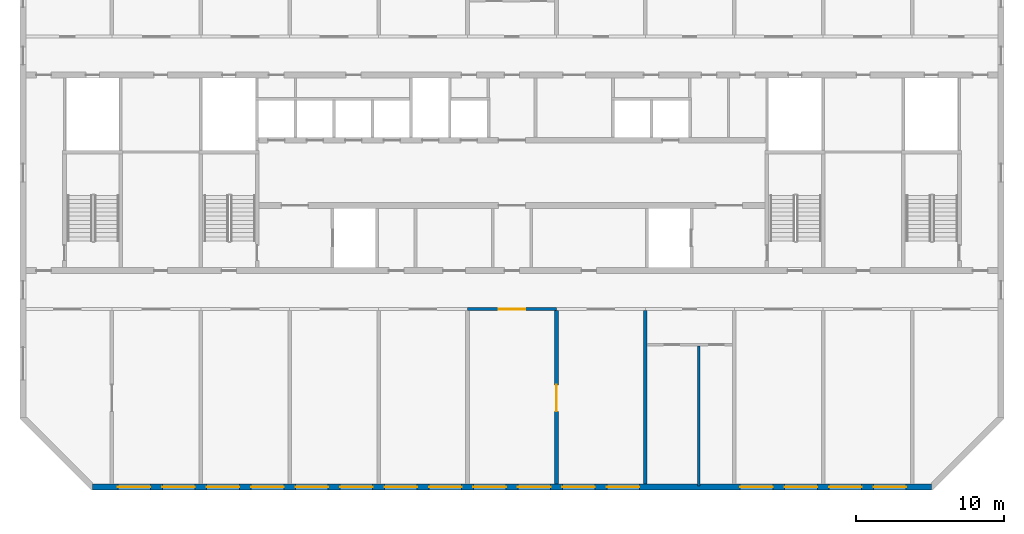
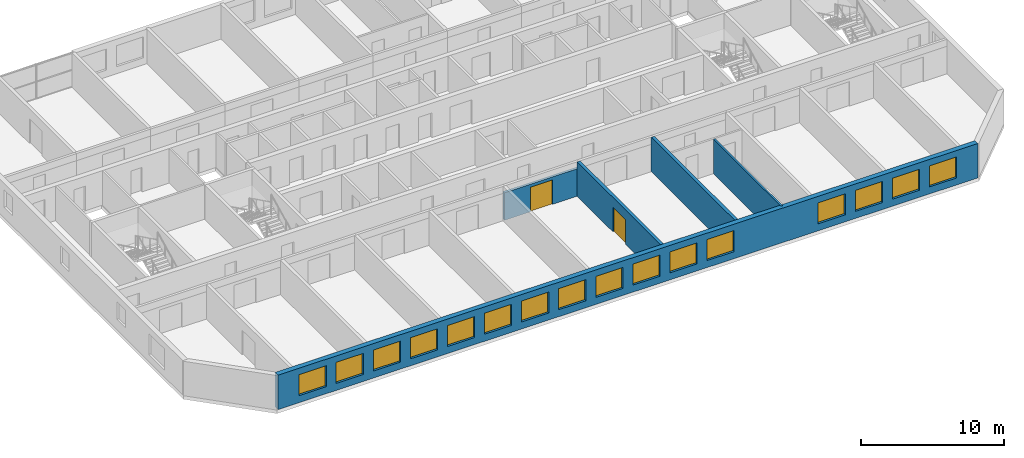
# One storey, part 6 of 13: 16 windows, 5 walls, 2 doors, 18 openings.
"""IFC4 building model written with IfcOpenShell, lengths in metres."""

from ifc_helpers import new_model, si_unit, direction, frame, frame_2d, origin, place, context, subcontext, project, spatial, rectangle, extrude, material, layer, layer_set, type_object, element, fill, save


model = new_model("IFC4")

# Units and contexts
model_context = context("Model", 3, precision=1e-05, world=origin(), true_north=direction((0.0, 1.0)))
body_context = subcontext(model_context, "Body", "Model", "MODEL_VIEW")
ifc_project = project(units=[si_unit("LENGTHUNIT", "METRE"), si_unit("AREAUNIT", "SQUARE_METRE"), si_unit("VOLUMEUNIT", "CUBIC_METRE"), si_unit("PLANEANGLEUNIT", "RADIAN"), si_unit("MASSUNIT", "GRAM", prefix="KILO")], contexts=[model_context])

# Site, building, storey
site_placement = place(None, origin())
site = spatial("IfcSite", under=ifc_project, at=site_placement, CompositionType="ELEMENT")
building_placement = place(site_placement, origin())
building = spatial("IfcBuilding", under=site, at=building_placement, Name="Poui Terraces", CompositionType="ELEMENT")
storey_placement = place(building_placement, frame((0.0, 0.0, 211.5)))
storey = spatial("IfcBuildingStorey", under=building, at=storey_placement, Name="L59", CompositionType="ELEMENT", Elevation=211.5)

# Wall, opening, door
ifc_material_1 = material(Name="Concrete 50 MPa", Category="concrete")
ifc_layer_1 = layer(ifc_material_1, 0.199951171875)
ifc_layer_set_1 = layer_set([ifc_layer_1], Name="Concrete 50 MPa")
wall_type_1 = type_object("IfcWallType", Name="CORRIDOR WALL 200 50MPa", PredefinedType="SHEAR", material=ifc_layer_set_1)
wall_1_placement = place(storey_placement, frame((48.0, 12.0, 0.0), z_axis=(0.0, 0.0, 1.0), x_axis=(1.0, 0.0, 0.0)))
wall_1 = element("IfcWall", 1, at=wall_1_placement, inside=storey, type_object=wall_type_1, Name="CORRIDOR WALL LINE B BAY 6", PredefinedType="SHEAR", context=body_context, shape_type="SweptSolid", body=[
    extrude(rectangle(XDim=6.0, YDim=0.199951171875, at=frame_2d((3.0, 0.0))), origin(), (0.0, 0.0, 1.0), 2.35009765625),
])
opening_1_placement = place(wall_1_placement, frame((2.10009765625, 0.0, 0.0)))
opening_1 = element("IfcOpeningElement", 2, at=opening_1_placement, cuts=wall_1, Name="Opening DD180", PredefinedType="OPENING", context=body_context, shape_type="SweptSolid", body=[
    extrude(rectangle(XDim=1.800048828125, YDim=2.10009765625, at=frame_2d((0.89990234375, 1.050048828125))), frame((0.0, 0.10986328125, 0.0), z_axis=(0.0, -1.0, 0.0), x_axis=(1.0, 0.0, 0.0)), (0.0, 0.0, 1.0), 0.219970703125),
])
ifc_material_2 = material(Name="Steel fire door", Category="steel")
door_type = type_object("IfcDoorType", Name="DOUBLE INTERNAL DOOR 1800 X 2100", OperationType="DOUBLE_DOOR_SINGLE_SWING", PredefinedType="DOOR", material=ifc_material_2)
door_1_placement = place(opening_1_placement, origin())
door_1 = element("IfcDoor", 3, at=door_1_placement, inside=storey, type_object=door_type, Name="DOUBLE INTERNAL DOOR 038", OperationType="DOUBLE_DOOR_SINGLE_SWING", OverallHeight=2.10009765625, OverallWidth=1.800048828125, PredefinedType="DOOR", context=body_context, shape_type="SweptSolid", body=[
    extrude(rectangle(XDim=1.800048828125, YDim=2.10009765625, at=frame_2d((0.89990234375, 1.050048828125))), frame((0.0, 0.02490234375, 0.0), z_axis=(0.0, -1.0, 0.0), x_axis=(1.0, 0.0, 0.0)), (0.0, 0.0, 1.0), 0.050048828125),
])
fill(opening_1, door_1)

ifc_layer_2 = layer(ifc_material_1, 0.25)
ifc_layer_set_2 = layer_set([ifc_layer_2], Name="Concrete 50 MPa")
wall_type_2 = type_object("IfcWallType", Name="CROSS WALL 250 50MPa", PredefinedType="SHEAR", material=ifc_layer_set_2)
wall_2_placement = place(storey_placement, frame((54.0, 0.199951171875, 0.0), z_axis=(0.0, 0.0, 1.0), x_axis=(0.0, 1.0, 0.0)))
wall_2 = element("IfcWall", 4, at=wall_2_placement, inside=storey, type_object=wall_type_2, Name="CROSS WALL LINE 10 SOUTH", PredefinedType="SHEAR", context=body_context, shape_type="SweptSolid", body=[
    extrude(rectangle(XDim=11.699951171875, YDim=0.25, at=frame_2d((5.85009765625, 0.0))), origin(), (0.0, 0.0, 1.0), 2.949951171875),
])
opening_2_placement = place(wall_2_placement, frame((4.89990234375, 0.0, 0.0)))
opening_2 = element("IfcOpeningElement", 5, at=opening_2_placement, cuts=wall_2, Name="Opening DD180", PredefinedType="OPENING", context=body_context, shape_type="SweptSolid", body=[
    extrude(rectangle(XDim=1.800048828125, YDim=2.10009765625, at=frame_2d((0.89990234375, 1.050048828125))), frame((0.0, 0.135009765625, 0.0), z_axis=(0.0, -1.0, 0.0), x_axis=(1.0, 0.0, 0.0)), (0.0, 0.0, 1.0), 0.27001953125),
])
door_2_placement = place(opening_2_placement, origin())
door_2 = element("IfcDoor", 6, at=door_2_placement, inside=storey, type_object=door_type, Name="DOUBLE INTERNAL DOOR 057", OperationType="DOUBLE_DOOR_SINGLE_SWING", OverallHeight=2.10009765625, OverallWidth=1.800048828125, PredefinedType="DOOR", context=body_context, shape_type="SweptSolid", body=[
    extrude(rectangle(XDim=1.800048828125, YDim=2.10009765625, at=frame_2d((0.89990234375, 1.050048828125))), frame((0.0, 0.02490234375, 0.0), z_axis=(0.0, -1.0, 0.0), x_axis=(1.0, 0.0, 0.0)), (0.0, 0.0, 1.0), 0.050048828125),
])
fill(opening_2, door_2)

# Wall
wall_3_placement = place(storey_placement, frame((60.0, 0.199951171875, 0.0), z_axis=(0.0, 0.0, 1.0), x_axis=(0.0, 1.0, 0.0)))
element("IfcWall", 7, at=wall_3_placement, inside=storey, type_object=wall_type_2, Name="CROSS WALL LINE 11 SOUTH", PredefinedType="SHEAR", context=body_context, shape_type="SweptSolid", body=[
    extrude(rectangle(XDim=11.699951171875, YDim=0.25, at=frame_2d((5.85009765625, 0.0))), origin(), (0.0, 0.0, 1.0), 2.949951171875),
])

# Wall, openings, windows
ifc_material_3 = material(Name="Precast concrete 40 MPa", Category="concrete")
ifc_layer_3 = layer(ifc_material_3, 0.39990234375)
ifc_layer_set_3 = layer_set([ifc_layer_3], Name="Precast concrete 40 MPa")
wall_type_3 = type_object("IfcWallType", Name="EXTERNAL WALL 400", PredefinedType="STANDARD", material=ifc_layer_set_3)
wall_4_placement = place(storey_placement, frame((22.682861328125, 0.0, 0.0), z_axis=(0.0, 0.0, 1.0), x_axis=(1.0, 0.0, 0.0)))
wall_4 = element("IfcWall", 8, at=wall_4_placement, inside=storey, type_object=wall_type_3, Name="EXTERNAL WALL S", PredefinedType="STANDARD", context=body_context, shape_type="SweptSolid", body=[
    extrude(rectangle(XDim=56.63427734375, YDim=0.39990234375, at=frame_2d((28.317138671875, 0.0))), origin(), (0.0, 0.0, 1.0), 2.949951171875),
])
opening_3_placement = place(wall_4_placement, frame((1.71728515625, 0.0, 0.60009765625)))
opening_3 = element("IfcOpeningElement", 9, at=opening_3_placement, cuts=wall_4, Name="Opening W3", PredefinedType="OPENING", context=body_context, shape_type="SweptSolid", body=[
    extrude(rectangle(XDim=2.199951171875, YDim=1.800048828125, at=frame_2d((1.10009765625, 0.89990234375))), frame((0.0, 0.2099609375, 0.0), z_axis=(0.0, -1.0, 0.0), x_axis=(1.0, 0.0, 0.0)), (0.0, 0.0, 1.0), 0.419921875),
])
opening_4_placement = place(wall_4_placement, frame((4.71728515625, 0.0, 0.60009765625)))
opening_4 = element("IfcOpeningElement", 10, at=opening_4_placement, cuts=wall_4, Name="Opening W3", PredefinedType="OPENING", context=body_context, shape_type="SweptSolid", body=[
    extrude(rectangle(XDim=2.199951171875, YDim=1.800048828125, at=frame_2d((1.10009765625, 0.89990234375))), frame((0.0, 0.2099609375, 0.0), z_axis=(0.0, -1.0, 0.0), x_axis=(1.0, 0.0, 0.0)), (0.0, 0.0, 1.0), 0.419921875),
])
opening_5_placement = place(wall_4_placement, frame((7.71728515625, 0.0, 0.60009765625)))
opening_5 = element("IfcOpeningElement", 11, at=opening_5_placement, cuts=wall_4, Name="Opening W3", PredefinedType="OPENING", context=body_context, shape_type="SweptSolid", body=[
    extrude(rectangle(XDim=2.199951171875, YDim=1.800048828125, at=frame_2d((1.10009765625, 0.89990234375))), frame((0.0, 0.2099609375, 0.0), z_axis=(0.0, -1.0, 0.0), x_axis=(1.0, 0.0, 0.0)), (0.0, 0.0, 1.0), 0.419921875),
])
opening_6_placement = place(wall_4_placement, frame((10.71728515625, 0.0, 0.60009765625)))
opening_6 = element("IfcOpeningElement", 12, at=opening_6_placement, cuts=wall_4, Name="Opening W3", PredefinedType="OPENING", context=body_context, shape_type="SweptSolid", body=[
    extrude(rectangle(XDim=2.199951171875, YDim=1.800048828125, at=frame_2d((1.10009765625, 0.89990234375))), frame((0.0, 0.2099609375, 0.0), z_axis=(0.0, -1.0, 0.0), x_axis=(1.0, 0.0, 0.0)), (0.0, 0.0, 1.0), 0.419921875),
])
opening_7_placement = place(wall_4_placement, frame((13.71728515625, 0.0, 0.60009765625)))
opening_7 = element("IfcOpeningElement", 13, at=opening_7_placement, cuts=wall_4, Name="Opening W3", PredefinedType="OPENING", context=body_context, shape_type="SweptSolid", body=[
    extrude(rectangle(XDim=2.199951171875, YDim=1.800048828125, at=frame_2d((1.10009765625, 0.89990234375))), frame((0.0, 0.2099609375, 0.0), z_axis=(0.0, -1.0, 0.0), x_axis=(1.0, 0.0, 0.0)), (0.0, 0.0, 1.0), 0.419921875),
])
opening_8_placement = place(wall_4_placement, frame((16.71728515625, 0.0, 0.60009765625)))
opening_8 = element("IfcOpeningElement", 14, at=opening_8_placement, cuts=wall_4, Name="Opening W3", PredefinedType="OPENING", context=body_context, shape_type="SweptSolid", body=[
    extrude(rectangle(XDim=2.199951171875, YDim=1.800048828125, at=frame_2d((1.10009765625, 0.89990234375))), frame((0.0, 0.2099609375, 0.0), z_axis=(0.0, -1.0, 0.0), x_axis=(1.0, 0.0, 0.0)), (0.0, 0.0, 1.0), 0.419921875),
])
opening_9_placement = place(wall_4_placement, frame((19.71728515625, 0.0, 0.60009765625)))
opening_9 = element("IfcOpeningElement", 15, at=opening_9_placement, cuts=wall_4, Name="Opening W3", PredefinedType="OPENING", context=body_context, shape_type="SweptSolid", body=[
    extrude(rectangle(XDim=2.199951171875, YDim=1.800048828125, at=frame_2d((1.10009765625, 0.89990234375))), frame((0.0, 0.2099609375, 0.0), z_axis=(0.0, -1.0, 0.0), x_axis=(1.0, 0.0, 0.0)), (0.0, 0.0, 1.0), 0.419921875),
])
opening_10_placement = place(wall_4_placement, frame((22.71728515625, 0.0, 0.60009765625)))
opening_10 = element("IfcOpeningElement", 16, at=opening_10_placement, cuts=wall_4, Name="Opening W3", PredefinedType="OPENING", context=body_context, shape_type="SweptSolid", body=[
    extrude(rectangle(XDim=2.199951171875, YDim=1.800048828125, at=frame_2d((1.10009765625, 0.89990234375))), frame((0.0, 0.2099609375, 0.0), z_axis=(0.0, -1.0, 0.0), x_axis=(1.0, 0.0, 0.0)), (0.0, 0.0, 1.0), 0.419921875),
])
opening_11_placement = place(wall_4_placement, frame((25.71728515625, 0.0, 0.60009765625)))
opening_11 = element("IfcOpeningElement", 17, at=opening_11_placement, cuts=wall_4, Name="Opening W3", PredefinedType="OPENING", context=body_context, shape_type="SweptSolid", body=[
    extrude(rectangle(XDim=2.199951171875, YDim=1.800048828125, at=frame_2d((1.10009765625, 0.89990234375))), frame((0.0, 0.2099609375, 0.0), z_axis=(0.0, -1.0, 0.0), x_axis=(1.0, 0.0, 0.0)), (0.0, 0.0, 1.0), 0.419921875),
])
opening_12_placement = place(wall_4_placement, frame((28.71728515625, 0.0, 0.60009765625)))
opening_12 = element("IfcOpeningElement", 18, at=opening_12_placement, cuts=wall_4, Name="Opening W3", PredefinedType="OPENING", context=body_context, shape_type="SweptSolid", body=[
    extrude(rectangle(XDim=2.199951171875, YDim=1.800048828125, at=frame_2d((1.10009765625, 0.89990234375))), frame((0.0, 0.2099609375, 0.0), z_axis=(0.0, -1.0, 0.0), x_axis=(1.0, 0.0, 0.0)), (0.0, 0.0, 1.0), 0.419921875),
])
opening_13_placement = place(wall_4_placement, frame((31.71728515625, 0.0, 0.60009765625)))
opening_13 = element("IfcOpeningElement", 19, at=opening_13_placement, cuts=wall_4, Name="Opening W3", PredefinedType="OPENING", context=body_context, shape_type="SweptSolid", body=[
    extrude(rectangle(XDim=2.199951171875, YDim=1.800048828125, at=frame_2d((1.10009765625, 0.89990234375))), frame((0.0, 0.2099609375, 0.0), z_axis=(0.0, -1.0, 0.0), x_axis=(1.0, 0.0, 0.0)), (0.0, 0.0, 1.0), 0.419921875),
])
opening_14_placement = place(wall_4_placement, frame((34.71728515625, 0.0, 0.60009765625)))
opening_14 = element("IfcOpeningElement", 20, at=opening_14_placement, cuts=wall_4, Name="Opening W3", PredefinedType="OPENING", context=body_context, shape_type="SweptSolid", body=[
    extrude(rectangle(XDim=2.199951171875, YDim=1.800048828125, at=frame_2d((1.10009765625, 0.89990234375))), frame((0.0, 0.2099609375, 0.0), z_axis=(0.0, -1.0, 0.0), x_axis=(1.0, 0.0, 0.0)), (0.0, 0.0, 1.0), 0.419921875),
])
opening_15_placement = place(wall_4_placement, frame((43.71728515625, 0.0, 0.60009765625)))
opening_15 = element("IfcOpeningElement", 21, at=opening_15_placement, cuts=wall_4, Name="Opening W3", PredefinedType="OPENING", context=body_context, shape_type="SweptSolid", body=[
    extrude(rectangle(XDim=2.199951171875, YDim=1.800048828125, at=frame_2d((1.10009765625, 0.89990234375))), frame((0.0, 0.2099609375, 0.0), z_axis=(0.0, -1.0, 0.0), x_axis=(1.0, 0.0, 0.0)), (0.0, 0.0, 1.0), 0.419921875),
])
opening_16_placement = place(wall_4_placement, frame((46.71728515625, 0.0, 0.60009765625)))
opening_16 = element("IfcOpeningElement", 22, at=opening_16_placement, cuts=wall_4, Name="Opening W3", PredefinedType="OPENING", context=body_context, shape_type="SweptSolid", body=[
    extrude(rectangle(XDim=2.199951171875, YDim=1.800048828125, at=frame_2d((1.10009765625, 0.89990234375))), frame((0.0, 0.2099609375, 0.0), z_axis=(0.0, -1.0, 0.0), x_axis=(1.0, 0.0, 0.0)), (0.0, 0.0, 1.0), 0.419921875),
])
opening_17_placement = place(wall_4_placement, frame((49.71728515625, 0.0, 0.60009765625)))
opening_17 = element("IfcOpeningElement", 23, at=opening_17_placement, cuts=wall_4, Name="Opening W3", PredefinedType="OPENING", context=body_context, shape_type="SweptSolid", body=[
    extrude(rectangle(XDim=2.199951171875, YDim=1.800048828125, at=frame_2d((1.10009765625, 0.89990234375))), frame((0.0, 0.2099609375, 0.0), z_axis=(0.0, -1.0, 0.0), x_axis=(1.0, 0.0, 0.0)), (0.0, 0.0, 1.0), 0.419921875),
])
opening_18_placement = place(wall_4_placement, frame((52.71728515625, 0.0, 0.60009765625)))
opening_18 = element("IfcOpeningElement", 24, at=opening_18_placement, cuts=wall_4, Name="Opening W3", PredefinedType="OPENING", context=body_context, shape_type="SweptSolid", body=[
    extrude(rectangle(XDim=2.199951171875, YDim=1.800048828125, at=frame_2d((1.10009765625, 0.89990234375))), frame((0.0, 0.2099609375, 0.0), z_axis=(0.0, -1.0, 0.0), x_axis=(1.0, 0.0, 0.0)), (0.0, 0.0, 1.0), 0.419921875),
])
ifc_material_4 = material(Name="Clear glass in aluminium frame", Category="aluminium")
window_type = type_object("IfcWindowType", Name="WINDOW 2200X1800", PartitioningType="DOUBLE_PANEL_HORIZONTAL", PredefinedType="WINDOW", material=ifc_material_4)
window_1_placement = place(opening_3_placement, origin())
window_1 = element("IfcWindow", 25, at=window_1_placement, inside=storey, type_object=window_type, Name="W3 WINDOW", OverallHeight=1.800048828125, OverallWidth=2.199951171875, PartitioningType="DOUBLE_PANEL_HORIZONTAL", PredefinedType="WINDOW", context=body_context, shape_type="SweptSolid", body=[
    extrude(rectangle(XDim=2.199951171875, YDim=1.800048828125, at=frame_2d((1.10009765625, 0.89990234375))), frame((0.0, 0.030029296875, 0.0), z_axis=(0.0, -1.0, 0.0), x_axis=(1.0, 0.0, 0.0)), (0.0, 0.0, 1.0), 0.06005859375),
])
fill(opening_3, window_1)
window_2_placement = place(opening_4_placement, origin())
window_2 = element("IfcWindow", 26, at=window_2_placement, inside=storey, type_object=window_type, Name="W3 WINDOW", OverallHeight=1.800048828125, OverallWidth=2.199951171875, PartitioningType="DOUBLE_PANEL_HORIZONTAL", PredefinedType="WINDOW", context=body_context, shape_type="SweptSolid", body=[
    extrude(rectangle(XDim=2.199951171875, YDim=1.800048828125, at=frame_2d((1.10009765625, 0.89990234375))), frame((0.0, 0.030029296875, 0.0), z_axis=(0.0, -1.0, 0.0), x_axis=(1.0, 0.0, 0.0)), (0.0, 0.0, 1.0), 0.06005859375),
])
fill(opening_4, window_2)
window_3_placement = place(opening_5_placement, origin())
window_3 = element("IfcWindow", 27, at=window_3_placement, inside=storey, type_object=window_type, Name="W3 WINDOW", OverallHeight=1.800048828125, OverallWidth=2.199951171875, PartitioningType="DOUBLE_PANEL_HORIZONTAL", PredefinedType="WINDOW", context=body_context, shape_type="SweptSolid", body=[
    extrude(rectangle(XDim=2.199951171875, YDim=1.800048828125, at=frame_2d((1.10009765625, 0.89990234375))), frame((0.0, 0.030029296875, 0.0), z_axis=(0.0, -1.0, 0.0), x_axis=(1.0, 0.0, 0.0)), (0.0, 0.0, 1.0), 0.06005859375),
])
fill(opening_5, window_3)
window_4_placement = place(opening_6_placement, origin())
window_4 = element("IfcWindow", 28, at=window_4_placement, inside=storey, type_object=window_type, Name="W3 WINDOW", OverallHeight=1.800048828125, OverallWidth=2.199951171875, PartitioningType="DOUBLE_PANEL_HORIZONTAL", PredefinedType="WINDOW", context=body_context, shape_type="SweptSolid", body=[
    extrude(rectangle(XDim=2.199951171875, YDim=1.800048828125, at=frame_2d((1.10009765625, 0.89990234375))), frame((0.0, 0.030029296875, 0.0), z_axis=(0.0, -1.0, 0.0), x_axis=(1.0, 0.0, 0.0)), (0.0, 0.0, 1.0), 0.06005859375),
])
fill(opening_6, window_4)
window_5_placement = place(opening_7_placement, origin())
window_5 = element("IfcWindow", 29, at=window_5_placement, inside=storey, type_object=window_type, Name="W3 WINDOW", OverallHeight=1.800048828125, OverallWidth=2.199951171875, PartitioningType="DOUBLE_PANEL_HORIZONTAL", PredefinedType="WINDOW", context=body_context, shape_type="SweptSolid", body=[
    extrude(rectangle(XDim=2.199951171875, YDim=1.800048828125, at=frame_2d((1.10009765625, 0.89990234375))), frame((0.0, 0.030029296875, 0.0), z_axis=(0.0, -1.0, 0.0), x_axis=(1.0, 0.0, 0.0)), (0.0, 0.0, 1.0), 0.06005859375),
])
fill(opening_7, window_5)
window_6_placement = place(opening_8_placement, origin())
window_6 = element("IfcWindow", 30, at=window_6_placement, inside=storey, type_object=window_type, Name="W3 WINDOW", OverallHeight=1.800048828125, OverallWidth=2.199951171875, PartitioningType="DOUBLE_PANEL_HORIZONTAL", PredefinedType="WINDOW", context=body_context, shape_type="SweptSolid", body=[
    extrude(rectangle(XDim=2.199951171875, YDim=1.800048828125, at=frame_2d((1.10009765625, 0.89990234375))), frame((0.0, 0.030029296875, 0.0), z_axis=(0.0, -1.0, 0.0), x_axis=(1.0, 0.0, 0.0)), (0.0, 0.0, 1.0), 0.06005859375),
])
fill(opening_8, window_6)
window_7_placement = place(opening_9_placement, origin())
window_7 = element("IfcWindow", 31, at=window_7_placement, inside=storey, type_object=window_type, Name="W3 WINDOW", OverallHeight=1.800048828125, OverallWidth=2.199951171875, PartitioningType="DOUBLE_PANEL_HORIZONTAL", PredefinedType="WINDOW", context=body_context, shape_type="SweptSolid", body=[
    extrude(rectangle(XDim=2.199951171875, YDim=1.800048828125, at=frame_2d((1.10009765625, 0.89990234375))), frame((0.0, 0.030029296875, 0.0), z_axis=(0.0, -1.0, 0.0), x_axis=(1.0, 0.0, 0.0)), (0.0, 0.0, 1.0), 0.06005859375),
])
fill(opening_9, window_7)
window_8_placement = place(opening_10_placement, origin())
window_8 = element("IfcWindow", 32, at=window_8_placement, inside=storey, type_object=window_type, Name="W3 WINDOW", OverallHeight=1.800048828125, OverallWidth=2.199951171875, PartitioningType="DOUBLE_PANEL_HORIZONTAL", PredefinedType="WINDOW", context=body_context, shape_type="SweptSolid", body=[
    extrude(rectangle(XDim=2.199951171875, YDim=1.800048828125, at=frame_2d((1.10009765625, 0.89990234375))), frame((0.0, 0.030029296875, 0.0), z_axis=(0.0, -1.0, 0.0), x_axis=(1.0, 0.0, 0.0)), (0.0, 0.0, 1.0), 0.06005859375),
])
fill(opening_10, window_8)
window_9_placement = place(opening_11_placement, origin())
window_9 = element("IfcWindow", 33, at=window_9_placement, inside=storey, type_object=window_type, Name="W3 WINDOW", OverallHeight=1.800048828125, OverallWidth=2.199951171875, PartitioningType="DOUBLE_PANEL_HORIZONTAL", PredefinedType="WINDOW", context=body_context, shape_type="SweptSolid", body=[
    extrude(rectangle(XDim=2.199951171875, YDim=1.800048828125, at=frame_2d((1.10009765625, 0.89990234375))), frame((0.0, 0.030029296875, 0.0), z_axis=(0.0, -1.0, 0.0), x_axis=(1.0, 0.0, 0.0)), (0.0, 0.0, 1.0), 0.06005859375),
])
fill(opening_11, window_9)
window_10_placement = place(opening_12_placement, origin())
window_10 = element("IfcWindow", 34, at=window_10_placement, inside=storey, type_object=window_type, Name="W3 WINDOW", OverallHeight=1.800048828125, OverallWidth=2.199951171875, PartitioningType="DOUBLE_PANEL_HORIZONTAL", PredefinedType="WINDOW", context=body_context, shape_type="SweptSolid", body=[
    extrude(rectangle(XDim=2.199951171875, YDim=1.800048828125, at=frame_2d((1.10009765625, 0.89990234375))), frame((0.0, 0.030029296875, 0.0), z_axis=(0.0, -1.0, 0.0), x_axis=(1.0, 0.0, 0.0)), (0.0, 0.0, 1.0), 0.06005859375),
])
fill(opening_12, window_10)
window_11_placement = place(opening_13_placement, origin())
window_11 = element("IfcWindow", 35, at=window_11_placement, inside=storey, type_object=window_type, Name="W3 WINDOW", OverallHeight=1.800048828125, OverallWidth=2.199951171875, PartitioningType="DOUBLE_PANEL_HORIZONTAL", PredefinedType="WINDOW", context=body_context, shape_type="SweptSolid", body=[
    extrude(rectangle(XDim=2.199951171875, YDim=1.800048828125, at=frame_2d((1.10009765625, 0.89990234375))), frame((0.0, 0.030029296875, 0.0), z_axis=(0.0, -1.0, 0.0), x_axis=(1.0, 0.0, 0.0)), (0.0, 0.0, 1.0), 0.06005859375),
])
fill(opening_13, window_11)
window_12_placement = place(opening_14_placement, origin())
window_12 = element("IfcWindow", 36, at=window_12_placement, inside=storey, type_object=window_type, Name="W3 WINDOW", OverallHeight=1.800048828125, OverallWidth=2.199951171875, PartitioningType="DOUBLE_PANEL_HORIZONTAL", PredefinedType="WINDOW", context=body_context, shape_type="SweptSolid", body=[
    extrude(rectangle(XDim=2.199951171875, YDim=1.800048828125, at=frame_2d((1.10009765625, 0.89990234375))), frame((0.0, 0.030029296875, 0.0), z_axis=(0.0, -1.0, 0.0), x_axis=(1.0, 0.0, 0.0)), (0.0, 0.0, 1.0), 0.06005859375),
])
fill(opening_14, window_12)
window_13_placement = place(opening_15_placement, origin())
window_13 = element("IfcWindow", 37, at=window_13_placement, inside=storey, type_object=window_type, Name="W3 WINDOW", OverallHeight=1.800048828125, OverallWidth=2.199951171875, PartitioningType="DOUBLE_PANEL_HORIZONTAL", PredefinedType="WINDOW", context=body_context, shape_type="SweptSolid", body=[
    extrude(rectangle(XDim=2.199951171875, YDim=1.800048828125, at=frame_2d((1.10009765625, 0.89990234375))), frame((0.0, 0.030029296875, 0.0), z_axis=(0.0, -1.0, 0.0), x_axis=(1.0, 0.0, 0.0)), (0.0, 0.0, 1.0), 0.06005859375),
])
fill(opening_15, window_13)
window_14_placement = place(opening_16_placement, origin())
window_14 = element("IfcWindow", 38, at=window_14_placement, inside=storey, type_object=window_type, Name="W3 WINDOW", OverallHeight=1.800048828125, OverallWidth=2.199951171875, PartitioningType="DOUBLE_PANEL_HORIZONTAL", PredefinedType="WINDOW", context=body_context, shape_type="SweptSolid", body=[
    extrude(rectangle(XDim=2.199951171875, YDim=1.800048828125, at=frame_2d((1.10009765625, 0.89990234375))), frame((0.0, 0.030029296875, 0.0), z_axis=(0.0, -1.0, 0.0), x_axis=(1.0, 0.0, 0.0)), (0.0, 0.0, 1.0), 0.06005859375),
])
fill(opening_16, window_14)
window_15_placement = place(opening_17_placement, origin())
window_15 = element("IfcWindow", 39, at=window_15_placement, inside=storey, type_object=window_type, Name="W3 WINDOW", OverallHeight=1.800048828125, OverallWidth=2.199951171875, PartitioningType="DOUBLE_PANEL_HORIZONTAL", PredefinedType="WINDOW", context=body_context, shape_type="SweptSolid", body=[
    extrude(rectangle(XDim=2.199951171875, YDim=1.800048828125, at=frame_2d((1.10009765625, 0.89990234375))), frame((0.0, 0.030029296875, 0.0), z_axis=(0.0, -1.0, 0.0), x_axis=(1.0, 0.0, 0.0)), (0.0, 0.0, 1.0), 0.06005859375),
])
fill(opening_17, window_15)
window_16_placement = place(opening_18_placement, origin())
window_16 = element("IfcWindow", 40, at=window_16_placement, inside=storey, type_object=window_type, Name="W3 WINDOW", OverallHeight=1.800048828125, OverallWidth=2.199951171875, PartitioningType="DOUBLE_PANEL_HORIZONTAL", PredefinedType="WINDOW", context=body_context, shape_type="SweptSolid", body=[
    extrude(rectangle(XDim=2.199951171875, YDim=1.800048828125, at=frame_2d((1.10009765625, 0.89990234375))), frame((0.0, 0.030029296875, 0.0), z_axis=(0.0, -1.0, 0.0), x_axis=(1.0, 0.0, 0.0)), (0.0, 0.0, 1.0), 0.06005859375),
])
fill(opening_18, window_16)

# Wall
ifc_material_5 = material(Name="Plasterboard partition")
ifc_layer_4 = layer(ifc_material_5, 0.14990234375)
ifc_layer_set_4 = layer_set([ifc_layer_4], Name="Plasterboard partition")
wall_type_4 = type_object("IfcWallType", Name="PARTITION WALL 150", PredefinedType="PARTITIONING", material=ifc_layer_set_4)
wall_5_placement = place(storey_placement, frame((63.60009765625, 0.06005859375, 0.0), z_axis=(0.0, 0.0, 1.0), x_axis=(0.0, 1.0, 0.0)))
element("IfcWall", 41, at=wall_5_placement, inside=storey, type_object=wall_type_4, Name="PARTITION WALL 150", PredefinedType="PARTITIONING", context=body_context, shape_type="SweptSolid", body=[
    extrude(rectangle(XDim=9.46484375, YDim=0.14990234375, at=frame_2d((4.732421875, 0.0))), origin(), (0.0, 0.0, 1.0), 2.949951171875),
])

save(model, "model.ifc")
